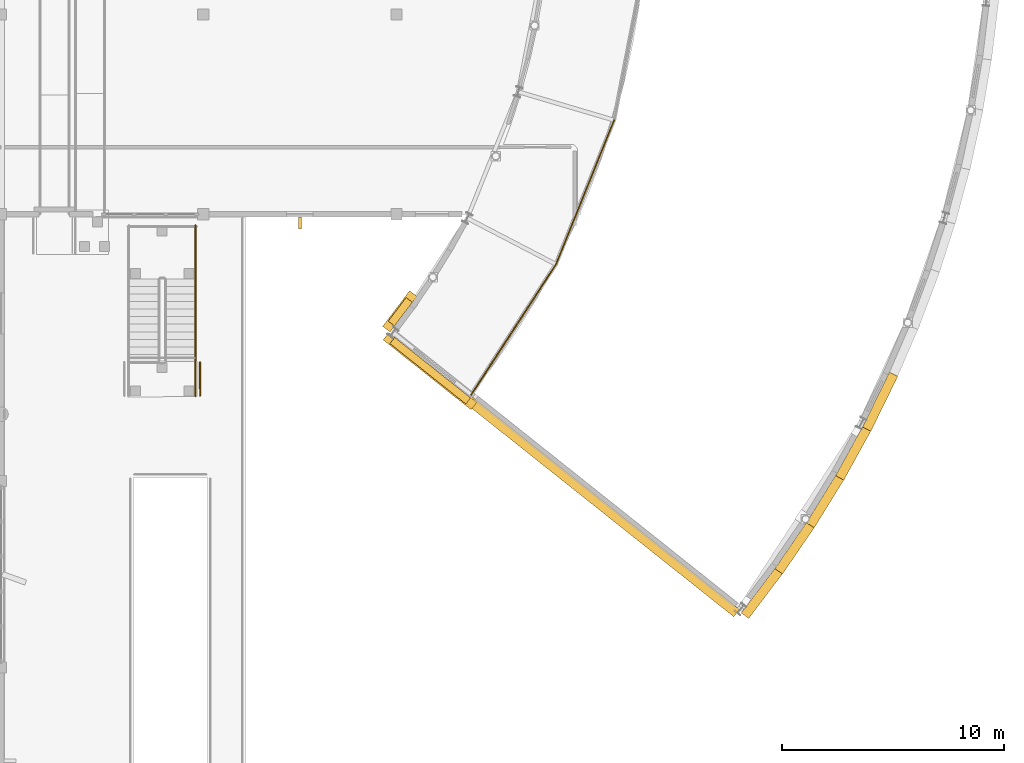
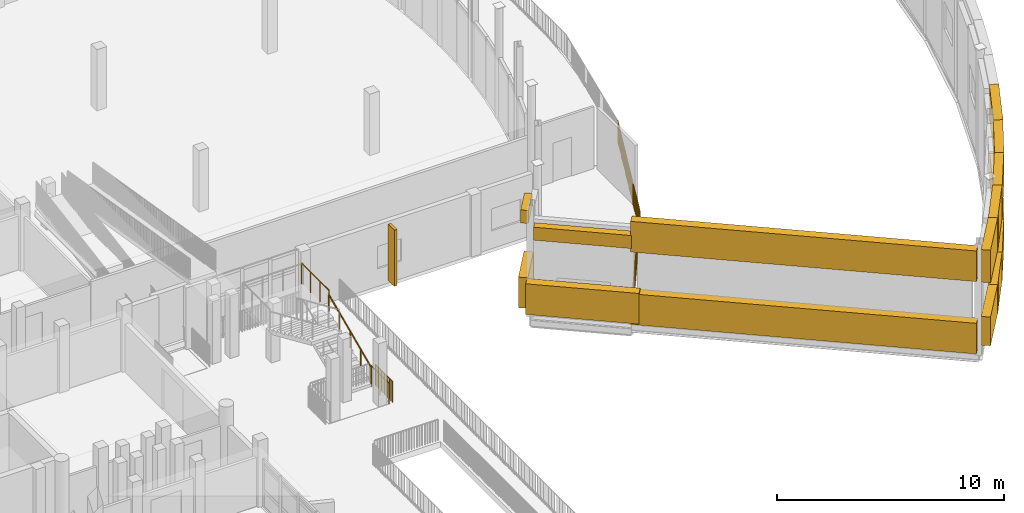
# One storey, part 101 of 104: 14 coverings, 6 railings, 3 shading devices.
"""IFC4 building model written with IfcOpenShell, lengths in metres."""

from ifc_helpers import new_model, si_unit, direction, frame, origin, origin_2d, place, context, subcontext, project, spatial, rectangle, circle, extrude, material, layer, layer_set, type_object, element, save


model = new_model("IFC4")

# Units and contexts
model_context = context("Model", 3, precision=1e-05, world=origin(), true_north=direction((0.0, 1.0)))
body_context = subcontext(model_context, "Body", "Model", "MODEL_VIEW")
ifc_project = project(units=[si_unit("LENGTHUNIT", "METRE"), si_unit("AREAUNIT", "SQUARE_METRE"), si_unit("VOLUMEUNIT", "CUBIC_METRE"), si_unit("PLANEANGLEUNIT", "RADIAN"), si_unit("MASSUNIT", "GRAM", prefix="KILO")], contexts=[model_context])

# Site, building, storey
site_placement = place(None, origin())
site = spatial("IfcSite", under=ifc_project, at=site_placement, CompositionType="ELEMENT")
building_placement = place(site_placement, origin())
building = spatial("IfcBuilding", under=site, at=building_placement, Name="Vanh Quang Courtyard School", CompositionType="ELEMENT")
storey_placement = place(building_placement, frame((0.0, 0.0, 4.199951171875)))
storey = spatial("IfcBuildingStorey", under=building, at=storey_placement, Name="L01", CompositionType="ELEMENT", Elevation=4.199951171875)

# Coverings
ifc_material_1 = material(Name="White precast concrete C40/50", Category="concrete")
ifc_layer = layer(ifc_material_1, 0.419921875)
ifc_layer_set = layer_set([ifc_layer], Name="White precast concrete C40/50")
covering_type = type_object("IfcCoveringType", Name="COV-CLAD-WHITE", PredefinedType="CLADDING", material=ifc_layer_set)
covering_1_placement = place(storey_placement, frame((138.703857421875, 34.337158203125, 0.3251953125), z_axis=(0.0, 0.0, 1.0), x_axis=(-0.782608156852, 0.622514636638, 0.0)))
element("IfcCovering", 1, at=covering_1_placement, inside=storey, type_object=covering_type, Name="Covering CL-01 (L01)", PredefinedType="CLADDING", context=body_context, shape_type="SweptSolid", body=[
    extrude(rectangle(XDim=5.052001953125, YDim=0.419921875, at=origin_2d()), origin(), (0.0, 0.0, 1.0), 1.64990234375),
])
covering_2_placement = place(storey_placement, frame((137.348388671875, 37.029052734375, 0.3251953125), z_axis=(0.0, 0.0, 1.0), x_axis=(0.603486360302, 0.797373320929, 0.0)))
element("IfcCovering", 2, at=covering_2_placement, inside=storey, type_object=covering_type, Name="Covering CL-01 (L01)", PredefinedType="CLADDING", context=body_context, shape_type="SweptSolid", body=[
    extrude(rectangle(XDim=2.00927734375, YDim=0.419921875, at=origin_2d()), origin(), (0.0, 0.0, 1.0), 1.64990234375),
])
covering_3_placement = place(storey_placement, frame((153.7119140625, 24.4248046875, 0.47509765625), z_axis=(0.0, 0.0, 1.0), x_axis=(0.603486360302, 0.797373320929, 0.0)))
element("IfcCovering", 3, at=covering_3_placement, inside=storey, type_object=covering_type, Name="Covering CL-01 (L01)", PredefinedType="CLADDING", context=body_context, shape_type="SweptSolid", body=[
    extrude(rectangle(XDim=2.74560546875, YDim=0.419921875, at=origin_2d()), origin(), (0.0, 0.0, 1.0), 1.550048828125),
])
covering_4_placement = place(storey_placement, frame((153.7119140625, 24.4248046875, 3.875), z_axis=(0.0, 0.0, 1.0), x_axis=(0.603486360302, 0.797373320929, 0.0)))
element("IfcCovering", 4, at=covering_4_placement, inside=storey, type_object=covering_type, Name="Covering CL-01 (L01)", PredefinedType="CLADDING", context=body_context, shape_type="SweptSolid", body=[
    extrude(rectangle(XDim=2.74560546875, YDim=0.419921875, at=origin_2d()), origin(), (0.0, 0.0, 1.0), 1.75),
])
covering_5_placement = place(storey_placement, frame((155.1787109375, 26.462646484375, 0.47509765625), z_axis=(0.0, 0.0, 1.0), x_axis=(0.564678950066, 0.825310658693, 0.0)))
element("IfcCovering", 5, at=covering_5_placement, inside=storey, type_object=covering_type, Name="Covering CL-01 (L01)", PredefinedType="CLADDING", context=body_context, shape_type="SweptSolid", body=[
    extrude(rectangle(XDim=2.74560546875, YDim=0.419921875, at=origin_2d()), origin(), (0.0, 0.0, 1.0), 1.550048828125),
])
covering_6_placement = place(storey_placement, frame((155.1787109375, 26.462646484375, 3.875), z_axis=(0.0, 0.0, 1.0), x_axis=(0.564678950066, 0.825310658693, 0.0)))
element("IfcCovering", 6, at=covering_6_placement, inside=storey, type_object=covering_type, Name="Covering CL-01 (L01)", PredefinedType="CLADDING", context=body_context, shape_type="SweptSolid", body=[
    extrude(rectangle(XDim=2.74560546875, YDim=0.419921875, at=origin_2d()), origin(), (0.0, 0.0, 1.0), 1.75),
])
covering_7_placement = place(storey_placement, frame((156.546142578125, 28.568359375, 0.47509765625), z_axis=(0.0, 0.0, 1.0), x_axis=(0.524283182828, 0.851543976671, 0.0)))
element("IfcCovering", 7, at=covering_7_placement, inside=storey, type_object=covering_type, Name="Covering CL-01 (L01)", PredefinedType="CLADDING", context=body_context, shape_type="SweptSolid", body=[
    extrude(rectangle(XDim=2.74560546875, YDim=0.419921875, at=origin_2d()), origin(), (0.0, 0.0, 1.0), 1.550048828125),
])
covering_8_placement = place(storey_placement, frame((156.546142578125, 28.568359375, 3.875), z_axis=(0.0, 0.0, 1.0), x_axis=(0.524283182828, 0.851543976671, 0.0)))
element("IfcCovering", 8, at=covering_8_placement, inside=storey, type_object=covering_type, Name="Covering CL-01 (L01)", PredefinedType="CLADDING", context=body_context, shape_type="SweptSolid", body=[
    extrude(rectangle(XDim=2.74560546875, YDim=0.419921875, at=origin_2d()), origin(), (0.0, 0.0, 1.0), 1.75),
])
covering_9_placement = place(storey_placement, frame((157.81103515625, 30.737060546875, 0.47509765625), z_axis=(0.0, 0.0, 1.0), x_axis=(0.482976759048, 0.875633171036, 0.0)))
element("IfcCovering", 9, at=covering_9_placement, inside=storey, type_object=covering_type, Name="Covering CL-01 (L01)", PredefinedType="CLADDING", context=body_context, shape_type="SweptSolid", body=[
    extrude(rectangle(XDim=2.74560546875, YDim=0.419921875, at=origin_2d()), origin(), (0.0, 0.0, 1.0), 1.550048828125),
])
covering_10_placement = place(storey_placement, frame((157.81103515625, 30.737060546875, 3.875), z_axis=(0.0, 0.0, 1.0), x_axis=(0.482976759048, 0.875633171036, 0.0)))
element("IfcCovering", 10, at=covering_10_placement, inside=storey, type_object=covering_type, Name="Covering CL-01 (L01)", PredefinedType="CLADDING", context=body_context, shape_type="SweptSolid", body=[
    extrude(rectangle(XDim=2.74560546875, YDim=0.419921875, at=origin_2d()), origin(), (0.0, 0.0, 1.0), 1.75),
])
covering_11_placement = place(storey_placement, frame((158.97021484375, 32.964111328125, 0.47509765625), z_axis=(0.0, 0.0, 1.0), x_axis=(0.440252613806, 0.897873953312, 0.0)))
element("IfcCovering", 11, at=covering_11_placement, inside=storey, type_object=covering_type, Name="Covering CL-01 (L01)", PredefinedType="CLADDING", context=body_context, shape_type="SweptSolid", body=[
    extrude(rectangle(XDim=2.74560546875, YDim=0.419921875, at=origin_2d()), origin(), (0.0, 0.0, 1.0), 1.550048828125),
])
covering_12_placement = place(storey_placement, frame((158.97021484375, 32.964111328125, 3.875), z_axis=(0.0, 0.0, 1.0), x_axis=(0.440252613806, 0.897873953312, 0.0)))
element("IfcCovering", 12, at=covering_12_placement, inside=storey, type_object=covering_type, Name="Covering CL-01 (L01)", PredefinedType="CLADDING", context=body_context, shape_type="SweptSolid", body=[
    extrude(rectangle(XDim=2.74560546875, YDim=0.419921875, at=origin_2d()), origin(), (0.0, 0.0, 1.0), 1.75),
])
for number, where, z_axis, x_axis, name in (
    (13, (146.468505859375, 28.250244140625, 0.22509765625), (0.0, 0.0, 1.0), (0.782608156852, -0.622514636638, 0.0), "Covering CL-01 (L01)"),
    (14, (146.468505859375, 28.250244140625, 4.125), (0.0, 0.0, 1.0), (0.782608156852, -0.622514636638, 0.0), "Covering CL-01 (L01)"),
):
    element("IfcCovering", number, at=place(storey_placement, frame(where, z_axis=z_axis, x_axis=x_axis)), inside=storey, type_object=covering_type, Name=name, PredefinedType="CLADDING", context=body_context, shape_type="SweptSolid", body=[
        extrude(rectangle(XDim=15.43994140625, YDim=0.419921875, at=origin_2d()), origin(), (0.0, 0.0, 1.0), 1.64990234375),
    ])

# Railings
ifc_material_2 = material(Name="Galvanised painted steel EN 10025-2 S355J2", Category="steel")
railing_type_1 = type_object("IfcRailingType", Name="RAIL-GUARD-1150", PredefinedType="BALUSTRADE", material=ifc_material_2)
railing_1_placement = place(storey_placement, frame((128.35498046875, 33.237060546875, 0.0)))
element("IfcRailing", 15, at=railing_1_placement, inside=storey, type_object=railing_type_1, Name="Railing GR-01 (L01)", PredefinedType="BALUSTRADE", context=body_context, shape_type="SweptSolid", body=[
    extrude(circle(Radius=0.02392578125, at=origin_2d()), frame((0.0, 0.0, 1.1259765625), z_axis=(-0.001133235471, 0.999999357888, 0.0), x_axis=(-0.999999357888, -0.001133235471, 0.0)), (0.0, 0.0, 1.0), 1.508056640625),
    extrude(circle(Radius=0.02099609375, at=origin_2d()), origin(), (0.0, 0.0, 1.0), 1.101806640625),
    extrude(circle(Radius=0.02099609375, at=origin_2d()), frame((-0.000244140625, 0.13720703125, 0.0)), (0.0, 0.0, 1.0), 1.101806640625),
    extrude(circle(Radius=0.02099609375, at=origin_2d()), frame((-0.000244140625, 0.274169921875, 0.0)), (0.0, 0.0, 1.0), 1.101806640625),
    extrude(circle(Radius=0.02099609375, at=origin_2d()), frame((-0.00048828125, 0.411376953125, 0.0)), (0.0, 0.0, 1.0), 1.101806640625),
    extrude(circle(Radius=0.02099609375, at=origin_2d()), frame((-0.000732421875, 0.54833984375, 0.0)), (0.0, 0.0, 1.0), 1.101806640625),
    extrude(circle(Radius=0.02099609375, at=origin_2d()), frame((-0.000732421875, 0.685546875, 0.0)), (0.0, 0.0, 1.0), 1.101806640625),
    extrude(circle(Radius=0.02099609375, at=origin_2d()), frame((-0.0009765625, 0.822509765625, 0.0)), (0.0, 0.0, 1.0), 1.101806640625),
    extrude(circle(Radius=0.02099609375, at=origin_2d()), frame((-0.0009765625, 0.959716796875, 0.0)), (0.0, 0.0, 1.0), 1.101806640625),
    extrude(circle(Radius=0.02099609375, at=origin_2d()), frame((-0.001220703125, 1.0966796875, 0.0)), (0.0, 0.0, 1.0), 1.101806640625),
    extrude(circle(Radius=0.02099609375, at=origin_2d()), frame((-0.00146484375, 1.23388671875, 0.0)), (0.0, 0.0, 1.0), 1.101806640625),
    extrude(circle(Radius=0.02099609375, at=origin_2d()), frame((-0.00146484375, 1.370849609375, 0.0)), (0.0, 0.0, 1.0), 1.101806640625),
    extrude(circle(Radius=0.02099609375, at=origin_2d()), frame((-0.001708984375, 1.508056640625, 0.0)), (0.0, 0.0, 1.0), 1.101806640625),
])
railing_2_placement = place(storey_placement, frame((140.565185546875, 33.2783203125, 0.0)))
element("IfcRailing", 16, at=railing_2_placement, inside=storey, type_object=railing_type_1, Name="Railing GR-01 (L01)", PredefinedType="BALUSTRADE", context=body_context, shape_type="SweptSolid", body=[
    extrude(circle(Radius=0.02392578125, at=origin_2d()), frame((0.0, 0.0, 1.1259765625), z_axis=(0.544651024109, 0.838662782015, 0.0), x_axis=(-0.838662782015, 0.544651024109, 0.0)), (0.0, 0.0, 1.0), 6.996826171875),
    extrude(circle(Radius=0.02099609375, at=origin_2d()), origin(), (0.0, 0.0, 1.0), 1.101806640625),
    extrude(circle(Radius=0.02099609375, at=origin_2d()), frame((0.076171875, 0.117431640625, 0.0)), (0.0, 0.0, 1.0), 1.101806640625),
    extrude(circle(Radius=0.02099609375, at=origin_2d()), frame((0.15234375, 0.234619140625, 0.0)), (0.0, 0.0, 1.0), 1.101806640625),
    extrude(circle(Radius=0.02099609375, at=origin_2d()), frame((0.228759765625, 0.35205078125, 0.0)), (0.0, 0.0, 1.0), 1.101806640625),
    extrude(circle(Radius=0.02099609375, at=origin_2d()), frame((0.304931640625, 0.469482421875, 0.0)), (0.0, 0.0, 1.0), 1.101806640625),
    extrude(circle(Radius=0.02099609375, at=origin_2d()), frame((0.381103515625, 0.5869140625, 0.0)), (0.0, 0.0, 1.0), 1.101806640625),
    extrude(circle(Radius=0.02099609375, at=origin_2d()), frame((0.457275390625, 0.7041015625, 0.0)), (0.0, 0.0, 1.0), 1.101806640625),
    extrude(circle(Radius=0.02099609375, at=origin_2d()), frame((0.533447265625, 0.821533203125, 0.0)), (0.0, 0.0, 1.0), 1.101806640625),
    extrude(circle(Radius=0.02099609375, at=origin_2d()), frame((0.609619140625, 0.93896484375, 0.0)), (0.0, 0.0, 1.0), 1.101806640625),
    extrude(circle(Radius=0.02099609375, at=origin_2d()), frame((0.68603515625, 1.05615234375, 0.0)), (0.0, 0.0, 1.0), 1.101806640625),
    extrude(circle(Radius=0.02099609375, at=origin_2d()), frame((0.76220703125, 1.173583984375, 0.0)), (0.0, 0.0, 1.0), 1.101806640625),
    extrude(circle(Radius=0.02099609375, at=origin_2d()), frame((0.83837890625, 1.291015625, 0.0)), (0.0, 0.0, 1.0), 1.101806640625),
    extrude(circle(Radius=0.02099609375, at=origin_2d()), frame((0.91455078125, 1.408203125, 0.0)), (0.0, 0.0, 1.0), 1.101806640625),
    extrude(circle(Radius=0.02099609375, at=origin_2d()), frame((0.99072265625, 1.525634765625, 0.0)), (0.0, 0.0, 1.0), 1.101806640625),
    extrude(circle(Radius=0.02099609375, at=origin_2d()), frame((1.067138671875, 1.64306640625, 0.0)), (0.0, 0.0, 1.0), 1.101806640625),
    extrude(circle(Radius=0.02099609375, at=origin_2d()), frame((1.143310546875, 1.76025390625, 0.0)), (0.0, 0.0, 1.0), 1.101806640625),
    extrude(circle(Radius=0.02099609375, at=origin_2d()), frame((1.219482421875, 1.877685546875, 0.0)), (0.0, 0.0, 1.0), 1.101806640625),
    extrude(circle(Radius=0.02099609375, at=origin_2d()), frame((1.295654296875, 1.9951171875, 0.0)), (0.0, 0.0, 1.0), 1.101806640625),
    extrude(circle(Radius=0.02099609375, at=origin_2d()), frame((1.371826171875, 2.112548828125, 0.0)), (0.0, 0.0, 1.0), 1.101806640625),
    extrude(circle(Radius=0.02099609375, at=origin_2d()), frame((1.447998046875, 2.229736328125, 0.0)), (0.0, 0.0, 1.0), 1.101806640625),
    extrude(circle(Radius=0.02099609375, at=origin_2d()), frame((1.5244140625, 2.34716796875, 0.0)), (0.0, 0.0, 1.0), 1.101806640625),
    extrude(circle(Radius=0.02099609375, at=origin_2d()), frame((1.6005859375, 2.464599609375, 0.0)), (0.0, 0.0, 1.0), 1.101806640625),
    extrude(circle(Radius=0.02099609375, at=origin_2d()), frame((1.6767578125, 2.581787109375, 0.0)), (0.0, 0.0, 1.0), 1.101806640625),
    extrude(circle(Radius=0.02099609375, at=origin_2d()), frame((1.7529296875, 2.69921875, 0.0)), (0.0, 0.0, 1.0), 1.101806640625),
    extrude(circle(Radius=0.02099609375, at=origin_2d()), frame((1.8291015625, 2.816650390625, 0.0)), (0.0, 0.0, 1.0), 1.101806640625),
    extrude(circle(Radius=0.02099609375, at=origin_2d()), frame((1.9052734375, 2.93408203125, 0.0)), (0.0, 0.0, 1.0), 1.101806640625),
    extrude(circle(Radius=0.02099609375, at=origin_2d()), frame((1.981689453125, 3.05126953125, 0.0)), (0.0, 0.0, 1.0), 1.101806640625),
    extrude(circle(Radius=0.02099609375, at=origin_2d()), frame((2.057861328125, 3.168701171875, 0.0)), (0.0, 0.0, 1.0), 1.101806640625),
    extrude(circle(Radius=0.02099609375, at=origin_2d()), frame((2.134033203125, 3.2861328125, 0.0)), (0.0, 0.0, 1.0), 1.101806640625),
    extrude(circle(Radius=0.02099609375, at=origin_2d()), frame((2.210205078125, 3.4033203125, 0.0)), (0.0, 0.0, 1.0), 1.101806640625),
    extrude(circle(Radius=0.02099609375, at=origin_2d()), frame((2.286376953125, 3.520751953125, 0.0)), (0.0, 0.0, 1.0), 1.101806640625),
    extrude(circle(Radius=0.02099609375, at=origin_2d()), frame((2.36279296875, 3.63818359375, 0.0)), (0.0, 0.0, 1.0), 1.101806640625),
    extrude(circle(Radius=0.02099609375, at=origin_2d()), frame((2.43896484375, 3.75537109375, 0.0)), (0.0, 0.0, 1.0), 1.101806640625),
    extrude(circle(Radius=0.02099609375, at=origin_2d()), frame((2.51513671875, 3.872802734375, 0.0)), (0.0, 0.0, 1.0), 1.101806640625),
    extrude(circle(Radius=0.02099609375, at=origin_2d()), frame((2.59130859375, 3.990234375, 0.0)), (0.0, 0.0, 1.0), 1.101806640625),
    extrude(circle(Radius=0.02099609375, at=origin_2d()), frame((2.66748046875, 4.107421875, 0.0)), (0.0, 0.0, 1.0), 1.101806640625),
    extrude(circle(Radius=0.02099609375, at=origin_2d()), frame((2.74365234375, 4.224853515625, 0.0)), (0.0, 0.0, 1.0), 1.101806640625),
    extrude(circle(Radius=0.02099609375, at=origin_2d()), frame((2.820068359375, 4.34228515625, 0.0)), (0.0, 0.0, 1.0), 1.101806640625),
    extrude(circle(Radius=0.02099609375, at=origin_2d()), frame((2.896240234375, 4.459716796875, 0.0)), (0.0, 0.0, 1.0), 1.101806640625),
    extrude(circle(Radius=0.02099609375, at=origin_2d()), frame((2.972412109375, 4.576904296875, 0.0)), (0.0, 0.0, 1.0), 1.101806640625),
    extrude(circle(Radius=0.02099609375, at=origin_2d()), frame((3.048583984375, 4.6943359375, 0.0)), (0.0, 0.0, 1.0), 1.101806640625),
    extrude(circle(Radius=0.02099609375, at=origin_2d()), frame((3.124755859375, 4.811767578125, 0.0)), (0.0, 0.0, 1.0), 1.101806640625),
    extrude(circle(Radius=0.02099609375, at=origin_2d()), frame((3.201171875, 4.928955078125, 0.0)), (0.0, 0.0, 1.0), 1.101806640625),
    extrude(circle(Radius=0.02099609375, at=origin_2d()), frame((3.27734375, 5.04638671875, 0.0)), (0.0, 0.0, 1.0), 1.101806640625),
    extrude(circle(Radius=0.02099609375, at=origin_2d()), frame((3.353515625, 5.163818359375, 0.0)), (0.0, 0.0, 1.0), 1.101806640625),
    extrude(circle(Radius=0.02099609375, at=origin_2d()), frame((3.4296875, 5.28125, 0.0)), (0.0, 0.0, 1.0), 1.101806640625),
    extrude(circle(Radius=0.02099609375, at=origin_2d()), frame((3.505859375, 5.3984375, 0.0)), (0.0, 0.0, 1.0), 1.101806640625),
    extrude(circle(Radius=0.02099609375, at=origin_2d()), frame((3.58203125, 5.515869140625, 0.0)), (0.0, 0.0, 1.0), 1.101806640625),
    extrude(circle(Radius=0.02099609375, at=origin_2d()), frame((3.658447265625, 5.63330078125, 0.0)), (0.0, 0.0, 1.0), 1.101806640625),
    extrude(circle(Radius=0.02099609375, at=origin_2d()), frame((3.734619140625, 5.75048828125, 0.0)), (0.0, 0.0, 1.0), 1.101806640625),
    extrude(circle(Radius=0.02099609375, at=origin_2d()), frame((3.810791015625, 5.867919921875, 0.0)), (0.0, 0.0, 1.0), 1.101806640625),
])
railing_3_placement = place(storey_placement, frame((144.3759765625, 39.146240234375, 0.0)))
element("IfcRailing", 17, at=railing_3_placement, inside=storey, type_object=railing_type_1, Name="Railing GR-01 (L01)", PredefinedType="BALUSTRADE", context=body_context, shape_type="SweptSolid", body=[
    extrude(circle(Radius=0.02392578125, at=origin_2d()), frame((0.0, 0.0, 1.1259765625), z_axis=(0.374595168761, 0.927188470345, 0.0), x_axis=(-0.927188470345, 0.374595168761, 0.0)), (0.0, 0.0, 1.0), 6.99658203125),
    extrude(circle(Radius=0.02099609375, at=origin_2d()), origin(), (0.0, 0.0, 1.0), 1.101806640625),
    extrude(circle(Radius=0.02099609375, at=origin_2d()), frame((0.052490234375, 0.129638671875, 0.0)), (0.0, 0.0, 1.0), 1.101806640625),
    extrude(circle(Radius=0.02099609375, at=origin_2d()), frame((0.104736328125, 0.259521484375, 0.0)), (0.0, 0.0, 1.0), 1.101806640625),
    extrude(circle(Radius=0.02099609375, at=origin_2d()), frame((0.1572265625, 0.38916015625, 0.0)), (0.0, 0.0, 1.0), 1.101806640625),
    extrude(circle(Radius=0.02099609375, at=origin_2d()), frame((0.209716796875, 0.51904296875, 0.0)), (0.0, 0.0, 1.0), 1.101806640625),
    extrude(circle(Radius=0.02099609375, at=origin_2d()), frame((0.26220703125, 0.648681640625, 0.0)), (0.0, 0.0, 1.0), 1.101806640625),
    extrude(circle(Radius=0.02099609375, at=origin_2d()), frame((0.314453125, 0.778564453125, 0.0)), (0.0, 0.0, 1.0), 1.101806640625),
    extrude(circle(Radius=0.02099609375, at=origin_2d()), frame((0.366943359375, 0.908203125, 0.0)), (0.0, 0.0, 1.0), 1.101806640625),
    extrude(circle(Radius=0.02099609375, at=origin_2d()), frame((0.41943359375, 1.037841796875, 0.0)), (0.0, 0.0, 1.0), 1.101806640625),
    extrude(circle(Radius=0.02099609375, at=origin_2d()), frame((0.4716796875, 1.167724609375, 0.0)), (0.0, 0.0, 1.0), 1.101806640625),
    extrude(circle(Radius=0.02099609375, at=origin_2d()), frame((0.524169921875, 1.29736328125, 0.0)), (0.0, 0.0, 1.0), 1.101806640625),
    extrude(circle(Radius=0.02099609375, at=origin_2d()), frame((0.57666015625, 1.42724609375, 0.0)), (0.0, 0.0, 1.0), 1.101806640625),
    extrude(circle(Radius=0.02099609375, at=origin_2d()), frame((0.62890625, 1.556884765625, 0.0)), (0.0, 0.0, 1.0), 1.101806640625),
    extrude(circle(Radius=0.02099609375, at=origin_2d()), frame((0.681396484375, 1.6865234375, 0.0)), (0.0, 0.0, 1.0), 1.101806640625),
    extrude(circle(Radius=0.02099609375, at=origin_2d()), frame((0.73388671875, 1.81640625, 0.0)), (0.0, 0.0, 1.0), 1.101806640625),
    extrude(circle(Radius=0.02099609375, at=origin_2d()), frame((0.7861328125, 1.946044921875, 0.0)), (0.0, 0.0, 1.0), 1.101806640625),
    extrude(circle(Radius=0.02099609375, at=origin_2d()), frame((0.838623046875, 2.075927734375, 0.0)), (0.0, 0.0, 1.0), 1.101806640625),
    extrude(circle(Radius=0.02099609375, at=origin_2d()), frame((0.89111328125, 2.20556640625, 0.0)), (0.0, 0.0, 1.0), 1.101806640625),
    extrude(circle(Radius=0.02099609375, at=origin_2d()), frame((0.943603515625, 2.33544921875, 0.0)), (0.0, 0.0, 1.0), 1.101806640625),
    extrude(circle(Radius=0.02099609375, at=origin_2d()), frame((0.995849609375, 2.465087890625, 0.0)), (0.0, 0.0, 1.0), 1.101806640625),
    extrude(circle(Radius=0.02099609375, at=origin_2d()), frame((1.04833984375, 2.5947265625, 0.0)), (0.0, 0.0, 1.0), 1.101806640625),
    extrude(circle(Radius=0.02099609375, at=origin_2d()), frame((1.100830078125, 2.724609375, 0.0)), (0.0, 0.0, 1.0), 1.101806640625),
    extrude(circle(Radius=0.02099609375, at=origin_2d()), frame((1.153076171875, 2.854248046875, 0.0)), (0.0, 0.0, 1.0), 1.101806640625),
    extrude(circle(Radius=0.02099609375, at=origin_2d()), frame((1.20556640625, 2.984130859375, 0.0)), (0.0, 0.0, 1.0), 1.101806640625),
    extrude(circle(Radius=0.02099609375, at=origin_2d()), frame((1.258056640625, 3.11376953125, 0.0)), (0.0, 0.0, 1.0), 1.101806640625),
    extrude(circle(Radius=0.02099609375, at=origin_2d()), frame((1.310546875, 3.24365234375, 0.0)), (0.0, 0.0, 1.0), 1.101806640625),
    extrude(circle(Radius=0.02099609375, at=origin_2d()), frame((1.36279296875, 3.373291015625, 0.0)), (0.0, 0.0, 1.0), 1.101806640625),
    extrude(circle(Radius=0.02099609375, at=origin_2d()), frame((1.415283203125, 3.5029296875, 0.0)), (0.0, 0.0, 1.0), 1.101806640625),
    extrude(circle(Radius=0.02099609375, at=origin_2d()), frame((1.4677734375, 3.6328125, 0.0)), (0.0, 0.0, 1.0), 1.101806640625),
    extrude(circle(Radius=0.02099609375, at=origin_2d()), frame((1.52001953125, 3.762451171875, 0.0)), (0.0, 0.0, 1.0), 1.101806640625),
    extrude(circle(Radius=0.02099609375, at=origin_2d()), frame((1.572509765625, 3.892333984375, 0.0)), (0.0, 0.0, 1.0), 1.101806640625),
    extrude(circle(Radius=0.02099609375, at=origin_2d()), frame((1.625, 4.02197265625, 0.0)), (0.0, 0.0, 1.0), 1.101806640625),
    extrude(circle(Radius=0.02099609375, at=origin_2d()), frame((1.67724609375, 4.151611328125, 0.0)), (0.0, 0.0, 1.0), 1.101806640625),
    extrude(circle(Radius=0.02099609375, at=origin_2d()), frame((1.729736328125, 4.281494140625, 0.0)), (0.0, 0.0, 1.0), 1.101806640625),
    extrude(circle(Radius=0.02099609375, at=origin_2d()), frame((1.7822265625, 4.4111328125, 0.0)), (0.0, 0.0, 1.0), 1.101806640625),
    extrude(circle(Radius=0.02099609375, at=origin_2d()), frame((1.83447265625, 4.541015625, 0.0)), (0.0, 0.0, 1.0), 1.101806640625),
    extrude(circle(Radius=0.02099609375, at=origin_2d()), frame((1.886962890625, 4.670654296875, 0.0)), (0.0, 0.0, 1.0), 1.101806640625),
    extrude(circle(Radius=0.02099609375, at=origin_2d()), frame((1.939453125, 4.800537109375, 0.0)), (0.0, 0.0, 1.0), 1.101806640625),
    extrude(circle(Radius=0.02099609375, at=origin_2d()), frame((1.991943359375, 4.93017578125, 0.0)), (0.0, 0.0, 1.0), 1.101806640625),
    extrude(circle(Radius=0.02099609375, at=origin_2d()), frame((2.044189453125, 5.059814453125, 0.0)), (0.0, 0.0, 1.0), 1.101806640625),
    extrude(circle(Radius=0.02099609375, at=origin_2d()), frame((2.0966796875, 5.189697265625, 0.0)), (0.0, 0.0, 1.0), 1.101806640625),
    extrude(circle(Radius=0.02099609375, at=origin_2d()), frame((2.149169921875, 5.3193359375, 0.0)), (0.0, 0.0, 1.0), 1.101806640625),
    extrude(circle(Radius=0.02099609375, at=origin_2d()), frame((2.201416015625, 5.44921875, 0.0)), (0.0, 0.0, 1.0), 1.101806640625),
    extrude(circle(Radius=0.02099609375, at=origin_2d()), frame((2.25390625, 5.578857421875, 0.0)), (0.0, 0.0, 1.0), 1.101806640625),
    extrude(circle(Radius=0.02099609375, at=origin_2d()), frame((2.306396484375, 5.70849609375, 0.0)), (0.0, 0.0, 1.0), 1.101806640625),
    extrude(circle(Radius=0.02099609375, at=origin_2d()), frame((2.35888671875, 5.83837890625, 0.0)), (0.0, 0.0, 1.0), 1.101806640625),
    extrude(circle(Radius=0.02099609375, at=origin_2d()), frame((2.4111328125, 5.968017578125, 0.0)), (0.0, 0.0, 1.0), 1.101806640625),
    extrude(circle(Radius=0.02099609375, at=origin_2d()), frame((2.463623046875, 6.097900390625, 0.0)), (0.0, 0.0, 1.0), 1.101806640625),
    extrude(circle(Radius=0.02099609375, at=origin_2d()), frame((2.51611328125, 6.2275390625, 0.0)), (0.0, 0.0, 1.0), 1.101806640625),
    extrude(circle(Radius=0.02099609375, at=origin_2d()), frame((2.568359375, 6.357421875, 0.0)), (0.0, 0.0, 1.0), 1.101806640625),
    extrude(circle(Radius=0.02099609375, at=origin_2d()), frame((2.620849609375, 6.487060546875, 0.0)), (0.0, 0.0, 1.0), 1.101806640625),
])
railing_4_placement = place(storey_placement, frame((128.14990234375, 38.489990234375, 1.800048828125)))
element("IfcRailing", 18, at=railing_4_placement, inside=storey, type_object=railing_type_1, Name="L01 ST-T2 stair guard 3", PredefinedType="BALUSTRADE", context=body_context, shape_type="SweptSolid", body=[
    extrude(circle(Radius=0.02392578125, at=origin_2d()), frame((0.0, 0.0, 1.1259765625), z_axis=(0.0, 1.0, 0.0), x_axis=(-1.0, 0.0, 0.0)), (0.0, 0.0, 1.0), 2.409912109375),
    extrude(circle(Radius=0.02099609375, at=origin_2d()), origin(), (0.0, 0.0, 1.0), 1.101806640625),
    extrude(circle(Radius=0.02099609375, at=origin_2d()), frame((0.0, 0.80322265625, 0.0)), (0.0, 0.0, 1.0), 1.101806640625),
    extrude(circle(Radius=0.02099609375, at=origin_2d()), frame((0.0, 1.606689453125, 0.0)), (0.0, 0.0, 1.0), 1.101806640625),
    extrude(circle(Radius=0.02099609375, at=origin_2d()), frame((0.0, 2.409912109375, 0.0)), (0.0, 0.0, 1.0), 1.101806640625),
])
railing_5_placement = place(storey_placement, frame((128.14990234375, 33.199951171875, 0.0)))
element("IfcRailing", 19, at=railing_5_placement, inside=storey, type_object=railing_type_1, Name="L01 ST-T2 stair guard 8", PredefinedType="BALUSTRADE", context=body_context, shape_type="SweptSolid", body=[
    extrude(circle(Radius=0.02392578125, at=origin_2d()), frame((0.0, 0.0, 1.1259765625), z_axis=(0.0, 1.0, 0.0), x_axis=(-1.0, 0.0, 0.0)), (0.0, 0.0, 1.0), 1.550048828125),
    extrude(circle(Radius=0.02099609375, at=origin_2d()), origin(), (0.0, 0.0, 1.0), 1.101806640625),
    extrude(circle(Radius=0.02099609375, at=origin_2d()), frame((0.0, 0.77490234375, 0.0)), (0.0, 0.0, 1.0), 1.101806640625),
    extrude(circle(Radius=0.02099609375, at=origin_2d()), frame((0.0, 1.550048828125, 0.0)), (0.0, 0.0, 1.0), 1.101806640625),
])
ifc_material_3 = material(Name="Brushed stainless steel", Category="steel")
railing_type_2 = type_object("IfcRailingType", Name="RAIL-HAND-900", PredefinedType="HANDRAIL", material=ifc_material_3)
railing_6_placement = place(storey_placement, frame((128.14990234375, 34.75, 0.150146484375)))
element("IfcRailing", 20, at=railing_6_placement, inside=storey, type_object=railing_type_2, Name="L01 ST-T2 stair handrail 1", PredefinedType="HANDRAIL", context=body_context, shape_type="SweptSolid", body=[
    extrude(circle(Radius=0.02392578125, at=origin_2d()), frame((0.0, 0.0, 0.8759765625), z_axis=(0.0, 0.914926234655, 0.40362109105), x_axis=(-1.0, 0.0, 0.0)), (0.0, 0.0, 1.0), 4.087646484375),
    extrude(circle(Radius=0.02099609375, at=origin_2d()), origin(), (0.0, 0.0, 1.0), 0.851806640625),
    extrude(circle(Radius=0.02099609375, at=origin_2d()), frame((0.0, 0.93505859375, 0.41259765625)), (0.0, 0.0, 1.0), 0.851806640625),
    extrude(circle(Radius=0.02099609375, at=origin_2d()), frame((0.0, 1.8701171875, 0.824951171875)), (0.0, 0.0, 1.0), 0.851806640625),
    extrude(circle(Radius=0.02099609375, at=origin_2d()), frame((0.0, 2.804931640625, 1.2373046875)), (0.0, 0.0, 1.0), 0.851806640625),
    extrude(circle(Radius=0.02099609375, at=origin_2d()), frame((0.0, 3.739990234375, 1.64990234375)), (0.0, 0.0, 1.0), 0.851806640625),
])

# Shading devices
ifc_material_4 = material(Name="Board-marked precast concrete C40/50", Category="concrete")
shading_device_type_1 = type_object("IfcShadingDeviceType", Name="SHD-FIN-CONCRETE", PredefinedType="USERDEFINED", material=ifc_material_4)
shading_device_1_placement = place(storey_placement, frame((132.85009765625, 41.0048828125, 0.150146484375), z_axis=(0.0, 0.0, 1.0), x_axis=(-1.0, 0.0, 0.0)))
element("IfcShadingDevice", 21, at=shading_device_1_placement, inside=storey, type_object=shading_device_type_1, Name="Solar Shading SH-02 (L01)", ObjectType="Solar Shading SH-02 (L01)", PredefinedType="USERDEFINED", context=body_context, shape_type="SweptSolid", body=[
    extrude(rectangle(XDim=0.139892578125, YDim=0.550048828125, at=origin_2d()), origin(), (0.0, 0.0, 1.0), 3.02001953125),
])
ifc_material_5 = material(Name="Anodised aluminium storm louvre", Category="aluminium")
shading_device_type_2 = type_object("IfcShadingDeviceType", Name="SHD-LOUVRE-STORM", PredefinedType="JALOUSIE", material=ifc_material_5)
shading_device_2_placement = place(storey_placement, frame((138.71923828125, 34.356689453125, 4.3203125), z_axis=(0.0, 0.0, 1.0), x_axis=(-0.782608156852, 0.622514636638, 0.0)))
element("IfcShadingDevice", 22, at=shading_device_2_placement, inside=storey, type_object=shading_device_type_2, Name="Solar Shading SH-01 (L01)", PredefinedType="JALOUSIE", context=body_context, shape_type="SweptSolid", body=[
    extrude(rectangle(XDim=4.3720703125, YDim=0.35009765625, at=origin_2d()), origin(), (0.0, 0.0, 1.0), 0.699951171875),
])
shading_device_3_placement = place(storey_placement, frame((137.368408203125, 37.013916015625, 4.66015625), z_axis=(0.0, 0.0, 1.0), x_axis=(0.603486360302, 0.797373320929, 0.0)))
element("IfcShadingDevice", 23, at=shading_device_3_placement, inside=storey, type_object=shading_device_type_2, Name="Solar Shading SH-01 (L01)", PredefinedType="JALOUSIE", context=body_context, shape_type="SweptSolid", body=[
    extrude(rectangle(XDim=1.329345703125, YDim=0.35009765625, at=origin_2d()), origin(), (0.0, 0.0, 1.0), 0.699951171875),
])

save(model, "model.ifc")
